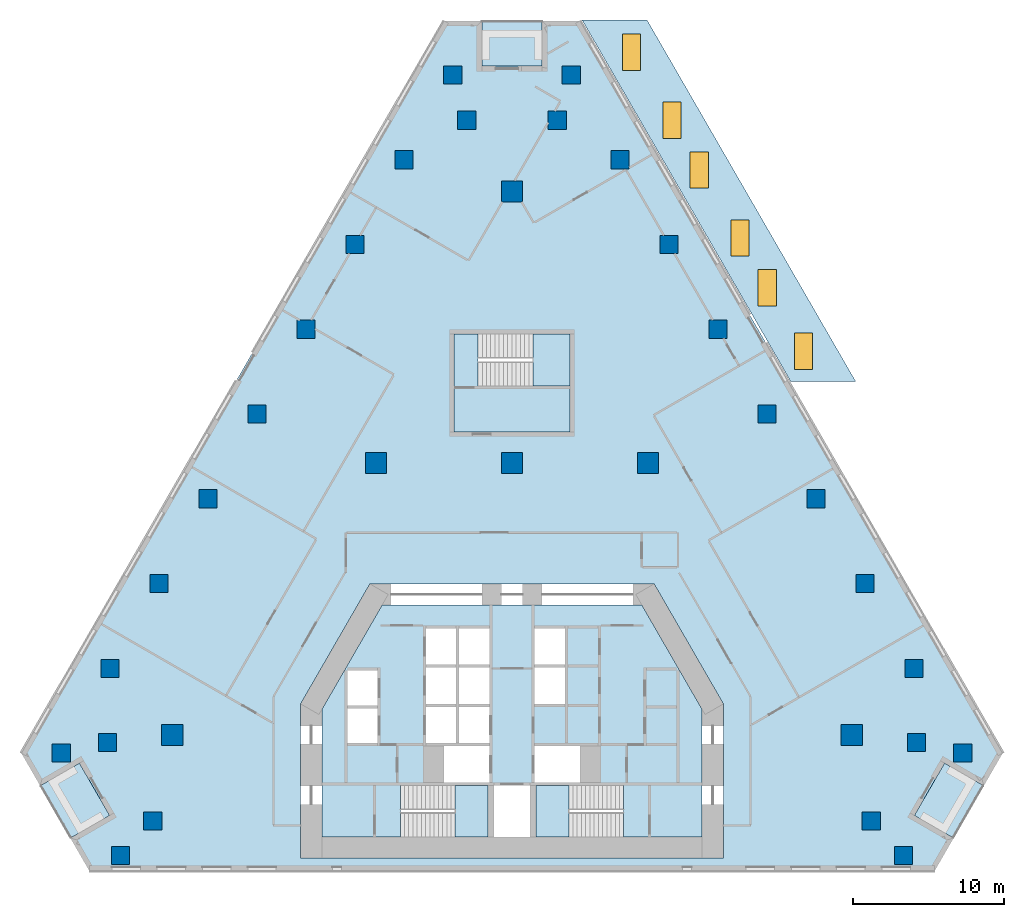
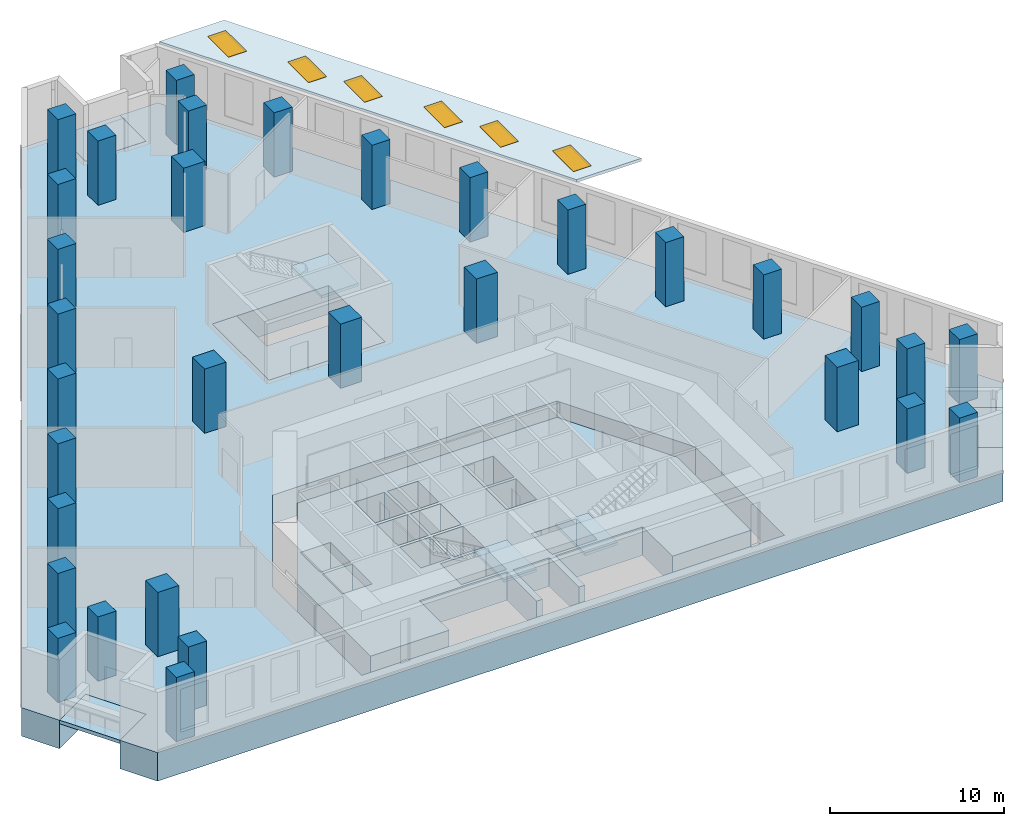
# One storey, part 1 of 13: 32 columns, 10 slabs, 6 windows, 6 openings, 3 elements without a shape of their own.
"""IFC4 building model written with IfcOpenShell, lengths in metres."""

from ifc_helpers import new_model, si_unit, direction, frame, origin, origin_2d, place, context, subcontext, project, spatial, polyline, rectangle, outline, extrude, material, layer, layer_set, material_profile, profile_set, type_object, element, fill, aggregate, save


model = new_model("IFC4")

# Units and contexts
model_context = context("Model", 3, precision=1e-05, world=origin(), true_north=direction((0.0, 1.0)))
body_context = subcontext(model_context, "Body", "Model", "MODEL_VIEW")
ifc_project = project(units=[si_unit("LENGTHUNIT", "METRE"), si_unit("AREAUNIT", "SQUARE_METRE"), si_unit("VOLUMEUNIT", "CUBIC_METRE"), si_unit("PLANEANGLEUNIT", "RADIAN"), si_unit("MASSUNIT", "GRAM", prefix="KILO")], contexts=[model_context])

# Site, building, storey
site_placement = place(None, origin())
site = spatial("IfcSite", under=ifc_project, at=site_placement, CompositionType="ELEMENT")
building_placement = place(site_placement, origin())
building = spatial("IfcBuilding", under=site, at=building_placement, Name="Fogline Exchange Tower", CompositionType="ELEMENT")
storey_placement = place(building_placement, frame((0.0, 0.0, 25.0)))
storey = spatial("IfcBuildingStorey", under=building, at=storey_placement, Name="L04", CompositionType="ELEMENT", Elevation=25.0)

# Columns
ifc_material_1 = material(Name="Concrete C80", Category="concrete")
ifc_material_profile_1 = material_profile(ifc_material_1, rectangle(XDim=1.199951171875, YDim=1.199951171875, at=origin_2d()), Name="RC 1200x1200")
ifc_profile_set_1 = profile_set([ifc_material_profile_1], Name="Concrete C80")
column_type_1 = type_object("IfcColumnType", Name="C01", PredefinedType="COLUMN", material=ifc_profile_set_1)
for number, where, z_axis, x_axis, name in (
    (1, (-29.855712890625, 7.794189453125, 0.0), (0.0, 0.0, 1.0), (1.0, 0.0, 0.0), "SW-a"),
    (2, (-26.79638671875, 8.4951171875, 0.0), (0.0, 0.0, 1.0), (1.0, 0.0, 0.0), "SW-p4"),
    (3, (-23.79638671875, 3.299072265625, 0.0), (0.0, 0.0, 1.0), (1.0, 0.0, 0.0), "SW-p3"),
    (4, (-25.93310546875, 1.0, 0.0), (0.0, 0.0, 1.0), (1.0, 0.0, 0.0), "SW-b"),
    (5, (25.93310546875, 1.0, 0.0), (0.0, 0.0, 1.0), (1.0, 0.0, 0.0), "SE-a"),
    (6, (23.79638671875, 3.299072265625, 0.0), (0.0, 0.0, 1.0), (1.0, 0.0, 0.0), "SE-p4"),
    (7, (26.79638671875, 8.4951171875, 0.0), (0.0, 0.0, 1.0), (1.0, 0.0, 0.0), "SE-p3"),
    (8, (29.855712890625, 7.794189453125, 0.0), (0.0, 0.0, 1.0), (1.0, 0.0, 0.0), "SE-b"),
    (9, (26.614013671875, 13.408935546875, 0.0), (0.0, 0.0, 1.0), (1.0, 0.0, 0.0), "E1"),
    (10, (23.37255859375, 19.023681640625, 0.0), (0.0, 0.0, 1.0), (1.0, 0.0, 0.0), "E2"),
    (11, (20.130859375, 24.63818359375, 0.0), (0.0, 0.0, 1.0), (1.0, 0.0, 0.0), "E3"),
    (12, (16.88916015625, 30.2529296875, 0.0), (0.0, 0.0, 1.0), (1.0, 0.0, 0.0), "E4"),
    (13, (13.647705078125, 35.86767578125, 0.0), (0.0, 0.0, 1.0), (1.0, 0.0, 0.0), "E5"),
    (14, (10.406005859375, 41.482421875, 0.0), (0.0, 0.0, 1.0), (1.0, 0.0, 0.0), "E6"),
    (15, (7.164306640625, 47.096923828125, 0.0), (0.0, 0.0, 1.0), (1.0, 0.0, 0.0), "E7"),
    (16, (3.922607421875, 52.711669921875, 0.0), (0.0, 0.0, 1.0), (1.0, 0.0, 0.0), "N-a"),
    (17, (3.0, 49.711669921875, 0.0), (0.0, 0.0, 1.0), (1.0, 0.0, 0.0), "N-p4"),
    (18, (-3.0, 49.711669921875, 0.0), (0.0, 0.0, 1.0), (1.0, 0.0, 0.0), "N-p3"),
    (19, (-3.922607421875, 52.711669921875, 0.0), (0.0, 0.0, 1.0), (1.0, 0.0, 0.0), "N-b"),
    (20, (-7.164306640625, 47.096923828125, 0.0), (0.0, 0.0, 1.0), (1.0, 0.0, 0.0), "W1"),
    (21, (-10.406005859375, 41.482421875, 0.0), (0.0, 0.0, 1.0), (1.0, 0.0, 0.0), "W2"),
    (22, (-13.647705078125, 35.86767578125, 0.0), (0.0, 0.0, 1.0), (1.0, 0.0, 0.0), "W3"),
    (23, (-16.88916015625, 30.2529296875, 0.0), (0.0, 0.0, 1.0), (1.0, 0.0, 0.0), "W4"),
    (24, (-20.130859375, 24.63818359375, 0.0), (0.0, 0.0, 1.0), (1.0, 0.0, 0.0), "W5"),
    (25, (-23.37255859375, 19.023681640625, 0.0), (0.0, 0.0, 1.0), (1.0, 0.0, 0.0), "W6"),
    (26, (-26.614013671875, 13.408935546875, 0.0), (0.0, 0.0, 1.0), (1.0, 0.0, 0.0), "W7"),
):
    element("IfcColumn", number, at=place(storey_placement, frame(where, z_axis=z_axis, x_axis=x_axis)), inside=storey, type_object=column_type_1, Name=name, PredefinedType="COLUMN", context=body_context, shape_type="SweptSolid", body=[
        extrude(rectangle(XDim=1.199951171875, YDim=1.199951171875, at=origin_2d()), origin(), (0.0, 0.0, 1.0), 4.5),
    ])
ifc_material_profile_2 = material_profile(ifc_material_1, rectangle(XDim=1.39990234375, YDim=1.39990234375, at=origin_2d()), Name="RC 1400x1400")
ifc_profile_set_2 = profile_set([ifc_material_profile_2], Name="Concrete C80")
column_type_2 = type_object("IfcColumnType", Name="C02", PredefinedType="COLUMN", material=ifc_profile_set_2)
for number, where, z_axis, x_axis, name in (
    (27, (-9.0, 27.0, 0.0), (0.0, 0.0, 1.0), (1.0, 0.0, 0.0), "IC--9-27"),
    (28, (0.0, 27.0, 0.0), (0.0, 0.0, 1.0), (1.0, 0.0, 0.0), "IC-0-27"),
    (29, (9.0, 27.0, 0.0), (0.0, 0.0, 1.0), (1.0, 0.0, 0.0), "IC-9-27"),
    (30, (0.0, 45.0, 0.0), (0.0, 0.0, 1.0), (1.0, 0.0, 0.0), "IC-0-45"),
    (31, (-22.5, 9.0, 0.0), (0.0, 0.0, 1.0), (1.0, 0.0, 0.0), "IC--225-9"),
    (32, (22.5, 9.0, 0.0), (0.0, 0.0, 1.0), (1.0, 0.0, 0.0), "IC-225-9"),
):
    element("IfcColumn", number, at=place(storey_placement, frame(where, z_axis=z_axis, x_axis=x_axis)), inside=storey, type_object=column_type_2, Name=name, PredefinedType="COLUMN", context=body_context, shape_type="SweptSolid", body=[
        extrude(rectangle(XDim=1.39990234375, YDim=1.39990234375, at=origin_2d()), origin(), (0.0, 0.0, 1.0), 4.5),
    ])

# Slabs
ifc_material_2 = material(Name="Concrete C40", Category="concrete")
ifc_layer_1 = layer(ifc_material_2, 0.25)
ifc_layer_set_1 = layer_set([ifc_layer_1], Name="DK1")
slab_type_1 = type_object("IfcSlabType", Name="DK1", PredefinedType="FLOOR", material=ifc_layer_set_1)
slab_1_placement = place(storey_placement, frame((0.0, 0.0, -0.25)))
element("IfcSlab", 33, at=slab_1_placement, inside=storey, type_object=slab_type_1, Name="Balcony L04 SW", PredefinedType="FLOOR", context=body_context, shape_type="SweptSolid", body=[
    extrude(outline(polyline([(-31.25, 5.629150390625), (-29.25, 2.1650390625), (-26.65185546875, 3.6650390625), (-28.65185546875, 7.129150390625), (-31.25, 5.629150390625)])), origin(), (0.0, 0.0, 1.0), 0.25),
])
slab_2_placement = place(storey_placement, frame((0.0, 0.0, -0.25)))
element("IfcSlab", 34, at=slab_2_placement, inside=storey, type_object=slab_type_1, Name="Balcony L04 SE", PredefinedType="FLOOR", context=body_context, shape_type="SweptSolid", body=[
    extrude(outline(polyline([(29.25, 2.1650390625), (31.25, 5.629150390625), (28.65185546875, 7.129150390625), (26.65185546875, 3.6650390625), (29.25, 2.1650390625)])), origin(), (0.0, 0.0, 1.0), 0.25),
])
slab_3_placement = place(storey_placement, frame((0.0, 0.0, -0.25)))
element("IfcSlab", 35, at=slab_3_placement, inside=storey, type_object=slab_type_1, Name="Balcony L04 N", PredefinedType="FLOOR", context=body_context, shape_type="SweptSolid", body=[
    extrude(outline(polyline([(2.0, 56.291748046875), (-2.0, 56.291748046875), (-2.0, 53.291748046875), (2.0, 53.291748046875), (2.0, 56.291748046875)])), origin(), (0.0, 0.0, 1.0), 0.25),
])

# Slab, openings, windows
ifc_layer_2 = layer(ifc_material_2, 0.199951171875)
ifc_layer_set_2 = layer_set([ifc_layer_2], Name="DK3")
slab_type_2 = type_object("IfcSlabType", Name="DK3", PredefinedType="ROOF", material=ifc_layer_set_2)
slab_4_placement = place(storey_placement, frame((0.0, 0.0, 4.0)))
slab_4 = element("IfcSlab", 36, at=slab_4_placement, inside=storey, type_object=slab_type_2, Name="Lantern roof", PredefinedType="ROOF", context=body_context, shape_type="SweptSolid", body=[
    extrude(outline(polyline([(22.763916015625, 32.409912109375), (8.9423828125, 56.35009765625), (4.639404296875, 56.35009765625), (18.461181640625, 32.409912109375), (22.763916015625, 32.409912109375)])), origin(), (0.0, 0.0, 1.0), 0.199951171875),
])
opening_1_placement = place(slab_4_placement, frame((19.305419921875, 34.409912109375, 0.0)))
opening_1 = element("IfcOpeningElement", 37, at=opening_1_placement, cuts=slab_4, Name="Opening SL1", PredefinedType="OPENING", context=body_context, shape_type="SweptSolid", body=[
    extrude(rectangle(XDim=1.199951171875, YDim=2.39990234375, at=origin_2d()), origin(), (0.0, 0.0, 1.0), 0.199951171875),
])
opening_2_placement = place(slab_4_placement, frame((16.905517578125, 38.610107421875, 0.0)))
opening_2 = element("IfcOpeningElement", 38, at=opening_2_placement, cuts=slab_4, Name="Opening SL1", PredefinedType="OPENING", context=body_context, shape_type="SweptSolid", body=[
    extrude(rectangle(XDim=1.199951171875, YDim=2.39990234375, at=origin_2d()), origin(), (0.0, 0.0, 1.0), 0.199951171875),
])
opening_3_placement = place(slab_4_placement, frame((15.10546875, 41.909912109375, 0.0)))
opening_3 = element("IfcOpeningElement", 39, at=opening_3_placement, cuts=slab_4, Name="Opening SL1", PredefinedType="OPENING", context=body_context, shape_type="SweptSolid", body=[
    extrude(rectangle(XDim=1.199951171875, YDim=2.39990234375, at=origin_2d()), origin(), (0.0, 0.0, 1.0), 0.199951171875),
])
opening_4_placement = place(slab_4_placement, frame((12.405517578125, 46.409912109375, 0.0)))
opening_4 = element("IfcOpeningElement", 40, at=opening_4_placement, cuts=slab_4, Name="Opening SL1", PredefinedType="OPENING", context=body_context, shape_type="SweptSolid", body=[
    extrude(rectangle(XDim=1.199951171875, YDim=2.39990234375, at=origin_2d()), origin(), (0.0, 0.0, 1.0), 0.199951171875),
])
opening_5_placement = place(slab_4_placement, frame((10.60546875, 49.7099609375, 0.0)))
opening_5 = element("IfcOpeningElement", 41, at=opening_5_placement, cuts=slab_4, Name="Opening SL1", PredefinedType="OPENING", context=body_context, shape_type="SweptSolid", body=[
    extrude(rectangle(XDim=1.199951171875, YDim=2.39990234375, at=origin_2d()), origin(), (0.0, 0.0, 1.0), 0.199951171875),
])
opening_6_placement = place(slab_4_placement, frame((7.905517578125, 54.2099609375, 0.0)))
opening_6 = element("IfcOpeningElement", 42, at=opening_6_placement, cuts=slab_4, Name="Opening SL1", PredefinedType="OPENING", context=body_context, shape_type="SweptSolid", body=[
    extrude(rectangle(XDim=1.199951171875, YDim=2.39990234375, at=origin_2d()), origin(), (0.0, 0.0, 1.0), 0.199951171875),
])
ifc_material_3 = material(Name="Aluminium and glass", Category="aluminium")
window_type = type_object("IfcWindowType", Name="SL1", PartitioningType="SINGLE_PANEL", PredefinedType="SKYLIGHT", material=ifc_material_3)
window_1_placement = place(opening_1_placement, frame((0.0, 0.0, 0.14990234375)))
window_1 = element("IfcWindow", 43, at=window_1_placement, inside=storey, type_object=window_type, Name="Lantern roof light", OverallHeight=2.39990234375, OverallWidth=1.199951171875, PartitioningType="SINGLE_PANEL", PredefinedType="SKYLIGHT", context=body_context, shape_type="SweptSolid", body=[
    extrude(rectangle(XDim=1.199951171875, YDim=2.39990234375, at=origin_2d()), origin(), (0.0, 0.0, 1.0), 0.050048828125),
])
fill(opening_1, window_1)
window_2_placement = place(opening_2_placement, frame((0.0, 0.0, 0.14990234375)))
window_2 = element("IfcWindow", 44, at=window_2_placement, inside=storey, type_object=window_type, Name="Lantern roof light", OverallHeight=2.39990234375, OverallWidth=1.199951171875, PartitioningType="SINGLE_PANEL", PredefinedType="SKYLIGHT", context=body_context, shape_type="SweptSolid", body=[
    extrude(rectangle(XDim=1.199951171875, YDim=2.39990234375, at=origin_2d()), origin(), (0.0, 0.0, 1.0), 0.050048828125),
])
fill(opening_2, window_2)
window_3_placement = place(opening_3_placement, frame((0.0, 0.0, 0.14990234375)))
window_3 = element("IfcWindow", 45, at=window_3_placement, inside=storey, type_object=window_type, Name="Lantern roof light", OverallHeight=2.39990234375, OverallWidth=1.199951171875, PartitioningType="SINGLE_PANEL", PredefinedType="SKYLIGHT", context=body_context, shape_type="SweptSolid", body=[
    extrude(rectangle(XDim=1.199951171875, YDim=2.39990234375, at=origin_2d()), origin(), (0.0, 0.0, 1.0), 0.050048828125),
])
fill(opening_3, window_3)
window_4_placement = place(opening_4_placement, frame((0.0, 0.0, 0.14990234375)))
window_4 = element("IfcWindow", 46, at=window_4_placement, inside=storey, type_object=window_type, Name="Lantern roof light", OverallHeight=2.39990234375, OverallWidth=1.199951171875, PartitioningType="SINGLE_PANEL", PredefinedType="SKYLIGHT", context=body_context, shape_type="SweptSolid", body=[
    extrude(rectangle(XDim=1.199951171875, YDim=2.39990234375, at=origin_2d()), origin(), (0.0, 0.0, 1.0), 0.050048828125),
])
fill(opening_4, window_4)
window_5_placement = place(opening_5_placement, frame((0.0, 0.0, 0.14990234375)))
window_5 = element("IfcWindow", 47, at=window_5_placement, inside=storey, type_object=window_type, Name="Lantern roof light", OverallHeight=2.39990234375, OverallWidth=1.199951171875, PartitioningType="SINGLE_PANEL", PredefinedType="SKYLIGHT", context=body_context, shape_type="SweptSolid", body=[
    extrude(rectangle(XDim=1.199951171875, YDim=2.39990234375, at=origin_2d()), origin(), (0.0, 0.0, 1.0), 0.050048828125),
])
fill(opening_5, window_5)
window_6_placement = place(opening_6_placement, frame((0.0, 0.0, 0.14990234375)))
window_6 = element("IfcWindow", 48, at=window_6_placement, inside=storey, type_object=window_type, Name="Lantern roof light", OverallHeight=2.39990234375, OverallWidth=1.199951171875, PartitioningType="SINGLE_PANEL", PredefinedType="SKYLIGHT", context=body_context, shape_type="SweptSolid", body=[
    extrude(rectangle(XDim=1.199951171875, YDim=2.39990234375, at=origin_2d()), origin(), (0.0, 0.0, 1.0), 0.050048828125),
])
fill(opening_6, window_6)

# Slabs
ifc_layer_3 = layer(ifc_material_2, 2.0)
ifc_layer_set_3 = layer_set([ifc_layer_3], Name="S05")
slab_type_3 = type_object("IfcSlabType", Name="S05", PredefinedType="FLOOR", material=ifc_layer_set_3)
slab_5_placement = place(storey_placement, frame((0.0, 0.0, -2.0)))
element("IfcSlab", 49, at=slab_5_placement, inside=storey, type_object=slab_type_3, Name="TRANSFER SLAB L04", PredefinedType="FLOOR", context=body_context, shape_type="SweptSolid", body=[
    extrude(outline(polyline([(-2.0, 56.291748046875), (-4.5, 56.291748046875), (-32.5, 7.794189453125), (-31.25, 5.629150390625), (-28.65185546875, 7.129150390625), (-26.65185546875, 3.6650390625), (-29.25, 2.1650390625), (-28.0, 0.0), (28.0, 0.0), (29.25, 2.1650390625), (26.65185546875, 3.6650390625), (28.65185546875, 7.129150390625), (31.25, 5.629150390625), (32.5, 7.794189453125), (4.5, 56.291748046875), (2.0, 56.291748046875), (2.0, 53.291748046875), (-2.0, 53.291748046875), (-2.0, 56.291748046875)]), holes=[polyline([(14.0, 11.052490234375), (14.0, 0.85009765625), (-14.0, 0.85009765625), (-14.0, 11.052490234375), (-9.41162109375, 19.0), (9.41162109375, 19.0), (14.0, 11.052490234375)]), polyline([(3.85009765625, 35.556884765625), (3.85009765625, 29.056884765625), (-3.85009765625, 29.056884765625), (-3.85009765625, 35.556884765625), (3.85009765625, 35.556884765625)])]), origin(), (0.0, 0.0, 1.0), 2.0),
])
slab_6_placement = place(storey_placement, frame((0.0, 0.0, -2.0)))
element("IfcSlab", 50, at=slab_6_placement, inside=storey, type_object=slab_type_3, Name="Core floor slab", PredefinedType="FLOOR", context=body_context, shape_type="SweptSolid", body=[
    extrude(outline(polyline([(-12.60009765625, 2.25), (-12.60009765625, 10.677490234375), (-8.603271484375, 17.60009765625), (8.603271484375, 17.60009765625), (12.60009765625, 10.677490234375), (12.60009765625, 2.25), (7.389892578125, 2.25), (7.389892578125, 5.64990234375), (1.60009765625, 5.64990234375), (1.60009765625, 2.25), (1.199951171875, 2.25), (1.199951171875, 5.64990234375), (-1.199951171875, 5.64990234375), (-1.199951171875, 2.25), (-1.60009765625, 2.25), (-1.60009765625, 5.64990234375), (-7.389892578125, 5.64990234375), (-7.389892578125, 2.25), (-12.60009765625, 2.25)]), holes=[polyline([(-1.5, 8.25), (-4.5, 8.25), (-4.5, 5.85009765625), (-1.5, 5.85009765625), (-1.5, 8.25)]), polyline([(-8.89990234375, 10.75), (-10.89990234375, 10.75), (-10.89990234375, 8.449951171875), (-8.89990234375, 8.449951171875), (-8.89990234375, 10.75)]), polyline([(-3.699951171875, 10.85009765625), (-5.699951171875, 10.85009765625), (-5.699951171875, 8.449951171875), (-3.699951171875, 8.449951171875), (-3.699951171875, 10.85009765625)]), polyline([(-1.5, 10.85009765625), (-3.5, 10.85009765625), (-3.5, 8.449951171875), (-1.5, 8.449951171875), (-1.5, 10.85009765625)]), polyline([(-8.89990234375, 13.25), (-10.89990234375, 13.25), (-10.89990234375, 10.949951171875), (-8.89990234375, 10.949951171875), (-8.89990234375, 13.25)]), polyline([(-3.699951171875, 13.449951171875), (-5.699951171875, 13.449951171875), (-5.699951171875, 11.050048828125), (-3.699951171875, 11.050048828125), (-3.699951171875, 13.449951171875)]), polyline([(-3.699951171875, 16.050048828125), (-5.699951171875, 16.050048828125), (-5.699951171875, 13.64990234375), (-3.699951171875, 13.64990234375), (-3.699951171875, 16.050048828125)]), polyline([(4.5, 8.25), (1.5, 8.25), (1.5, 5.85009765625), (4.5, 5.85009765625), (4.5, 8.25)]), polyline([(-1.5, 13.449951171875), (-3.5, 13.449951171875), (-3.5, 11.050048828125), (-1.5, 11.050048828125), (-1.5, 13.449951171875)]), polyline([(3.5, 13.449951171875), (1.5, 13.449951171875), (1.5, 11.050048828125), (3.5, 11.050048828125), (3.5, 13.449951171875)]), polyline([(-1.5, 16.050048828125), (-3.5, 16.050048828125), (-3.5, 13.64990234375), (-1.5, 13.64990234375), (-1.5, 16.050048828125)]), polyline([(3.5, 16.050048828125), (1.5, 16.050048828125), (1.5, 13.64990234375), (3.5, 13.64990234375), (3.5, 16.050048828125)])]), origin(), (0.0, 0.0, 1.0), 2.0),
])
slab_7_placement = place(storey_placement, frame((0.0, 0.0, -2.0)))
element("IfcSlab", 51, at=slab_7_placement, inside=storey, type_object=slab_type_3, Name="Stair enclosure floor slab", PredefinedType="FLOOR", context=body_context, shape_type="SweptSolid", body=[
    extrude(outline(polyline([(3.85009765625, 29.056884765625), (-3.85009765625, 29.056884765625), (-3.85009765625, 35.556884765625), (-2.239990234375, 35.556884765625), (-2.239990234375, 32.10693359375), (3.85009765625, 32.10693359375), (3.85009765625, 29.056884765625)])), origin(), (0.0, 0.0, 1.0), 2.0),
])

# Stair, slab
stair_type = type_object("IfcStairType", Name="STR28-1607", PredefinedType="HALF_TURN_STAIR", material=ifc_material_2)
stair_1_placement = place(storey_placement, origin())
stair_1 = element("IfcStair", 52, at=stair_1_placement, inside=storey, type_object=stair_type, Name="Stair ST1", PredefinedType="HALF_TURN_STAIR")
ifc_layer_4 = layer(ifc_material_2, 0.199951171875)
ifc_layer_set_4 = layer_set([ifc_layer_4], Name="SL200")
slab_type_4 = type_object("IfcSlabType", Name="SL200", PredefinedType="LANDING", material=ifc_layer_set_4)
slab_8_placement = place(storey_placement, frame((0.0, 0.0, 2.050048828125)))
slab_8 = element("IfcSlab", 53, at=slab_8_placement, type_object=slab_type_4, Name="ST1 landing 1", PredefinedType="LANDING", context=body_context, shape_type="SweptSolid", body=[
    extrude(outline(polyline([(-3.760009765625, 2.25), (-1.60009765625, 2.25), (-1.60009765625, 5.64990234375), (-3.760009765625, 5.64990234375), (-3.760009765625, 2.25)])), origin(), (0.0, 0.0, 1.0), 0.199951171875),
])
aggregate(stair_1, [slab_8])

stair_2_placement = place(storey_placement, origin())
stair_2 = element("IfcStair", 54, at=stair_2_placement, inside=storey, type_object=stair_type, Name="Stair ST2", PredefinedType="HALF_TURN_STAIR")
slab_9_placement = place(storey_placement, frame((0.0, 0.0, 2.050048828125)))
slab_9 = element("IfcSlab", 55, at=slab_9_placement, type_object=slab_type_4, Name="ST2 landing 1", PredefinedType="LANDING", context=body_context, shape_type="SweptSolid", body=[
    extrude(outline(polyline([(1.60009765625, 2.25), (3.760009765625, 2.25), (3.760009765625, 5.64990234375), (1.60009765625, 5.64990234375), (1.60009765625, 2.25)])), origin(), (0.0, 0.0, 1.0), 0.199951171875),
])
aggregate(stair_2, [slab_9])

stair_3_placement = place(storey_placement, origin())
stair_3 = element("IfcStair", 56, at=stair_3_placement, inside=storey, type_object=stair_type, Name="Stair ST3", PredefinedType="HALF_TURN_STAIR")
slab_10_placement = place(storey_placement, frame((0.0, 0.0, 2.050048828125)))
slab_10 = element("IfcSlab", 57, at=slab_10_placement, type_object=slab_type_4, Name="ST3 landing 1", PredefinedType="LANDING", context=body_context, shape_type="SweptSolid", body=[
    extrude(outline(polyline([(1.389892578125, 32.10693359375), (3.85009765625, 32.10693359375), (3.85009765625, 35.556884765625), (1.389892578125, 35.556884765625), (1.389892578125, 32.10693359375)])), origin(), (0.0, 0.0, 1.0), 0.199951171875),
])
aggregate(stair_3, [slab_10])

save(model, "model.ifc")
